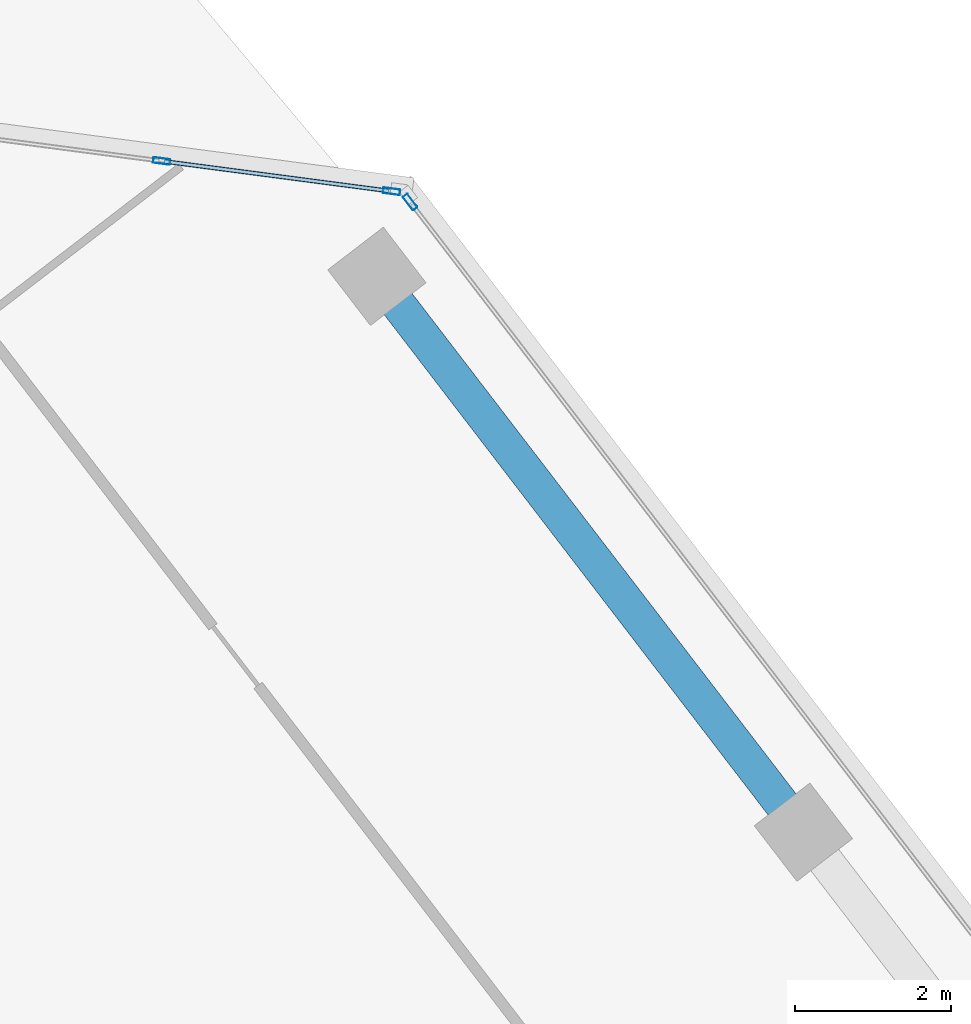
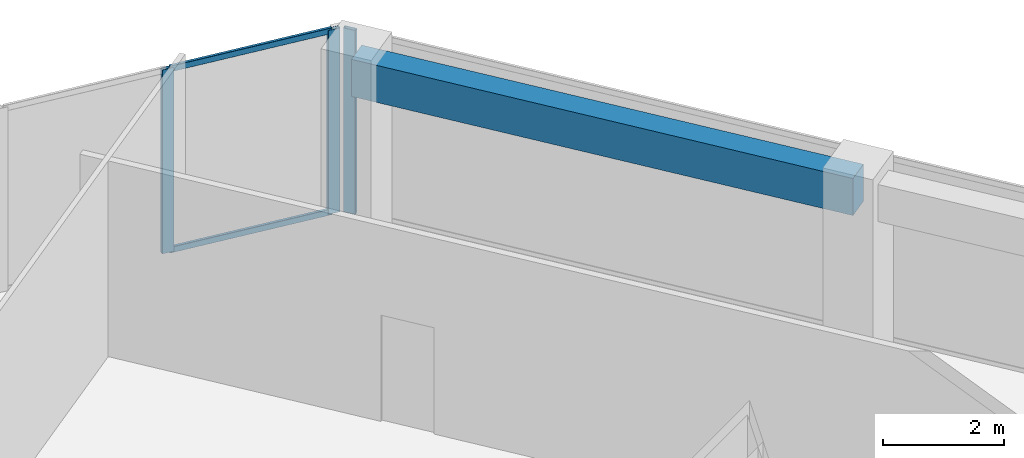
# One storey, part 10 of 17: 5 members, 1 beam, 2 elements without a shape of their own.
"""IFC4 building model written with IfcOpenShell, lengths in metres."""

from ifc_helpers import new_model, si_unit, direction, frame, origin, origin_2d, place, context, subcontext, project, spatial, rectangle, hollow_rectangle, extrude, source, transform, mapped, material, material_profile, profile_set, type_object, element, aggregate, save


model = new_model("IFC4")

# Units and contexts
model_context = context("Model", 3, precision=1e-05, world=origin(), true_north=direction((0.0, 1.0)))
body_context = subcontext(model_context, "Body", "Model", "MODEL_VIEW")
ifc_project = project(units=[si_unit("LENGTHUNIT", "METRE"), si_unit("AREAUNIT", "SQUARE_METRE"), si_unit("VOLUMEUNIT", "CUBIC_METRE"), si_unit("PLANEANGLEUNIT", "RADIAN"), si_unit("MASSUNIT", "GRAM", prefix="KILO")], contexts=[model_context])

# Site, building, storey
site_placement = place(None, origin())
site = spatial("IfcSite", under=ifc_project, at=site_placement, CompositionType="ELEMENT")
building_placement = place(site_placement, origin())
building = spatial("IfcBuilding", under=site, at=building_placement, Name="Torre Montelarca", CompositionType="ELEMENT")
storey_placement = place(building_placement, frame((0.0, 0.0, 279.39990234375)))
storey = spatial("IfcBuildingStorey", under=building, at=storey_placement, Name="L63", CompositionType="ELEMENT", Elevation=279.39990234375)

# Beam
ifc_material_1 = material(Name="Concrete C55/67", Category="concrete")
ifc_material_profile_1 = material_profile(ifc_material_1, rectangle(XDim=0.449951171875, YDim=0.75, at=origin_2d()), Name="RCB450X750", Category="concrete")
ifc_profile_set_1 = profile_set([ifc_material_profile_1], Name="Concrete C55/67")
beam_type = type_object("IfcBeamType", Name="BM-SP-RC750-EXT", PredefinedType="SPANDREL", material=ifc_profile_set_1)
shared_shape_1 = source(origin(), body_context, "Body", "SweptSolid", [
    extrude(rectangle(XDim=0.449951171875, YDim=0.75, at=origin_2d()), origin(), (0.0, 0.0, 1.0), 9.0),
])
beam_placement = place(storey_placement, frame((25.909912109375, 51.1396484375, 3.585205078125), z_axis=(0.608757244327, -0.793356551293, 0.0), x_axis=(0.793356551293, 0.608757244327, 0.0)))
element("IfcBeam", 1, at=beam_placement, inside=storey, type_object=beam_type, Name="L63 Grid Girder X 9.0-18.0 at Y=47.1", PredefinedType="SPANDREL", context=body_context, shape_type="MappedRepresentation", body=[
    mapped(shared_shape_1, transform((0.0, 0.0, 0.0), scale=1.0)),
])

# Curtain wall, member
ifc_material_2 = material(Name="Insulated low-E laminated glass", Category="glass")
curtain_wall_type = type_object("IfcCurtainWallType", Name="CW-SYS-Z3", PredefinedType="USERDEFINED", material=ifc_material_2)
curtain_wall_1_placement = place(storey_placement, origin())
curtain_wall_1 = element("IfcCurtainWall", 2, at=curtain_wall_1_placement, inside=storey, type_object=curtain_wall_type, Name="L63 Curtain Wall Run CW-T3-L63-E08-B1", ObjectType="UNITISED GLAZING", PredefinedType="USERDEFINED")
ifc_material_3 = material(Name="Anodised aluminium AA 6063-T6", Category="aluminium")
ifc_material_profile_2 = material_profile(ifc_material_3, hollow_rectangle(XDim=0.074951171875, YDim=0.219970703125, WallThickness=0.0048828125, InnerFilletRadius=0.0048828125, OuterFilletRadius=0.010009765625, at=origin_2d()), Name="ALU75X220X5", Category="aluminium")
ifc_profile_set_2 = profile_set([ifc_material_profile_2], Name="Anodised aluminium AA 6063-T6")
member_type_1 = type_object("IfcMemberType", Name="CWM-ALU220", PredefinedType="MULLION", material=ifc_profile_set_2)
shared_shape_2 = source(origin(), body_context, "Body", "SweptSolid", [
    extrude(hollow_rectangle(XDim=0.074951171875, YDim=0.219970703125, WallThickness=0.0048828125, InnerFilletRadius=0.0048828125, OuterFilletRadius=0.010009765625, at=origin_2d()), origin(), (0.0, 0.0, 1.0), 3.72021484375),
])
member_1_placement = place(storey_placement, frame((26.33740234375, 52.09375, 0.0), z_axis=(0.0, 0.0, 1.0), x_axis=(-0.793353678896, -0.60876098773, 0.0)))
member_1 = element("IfcMember", 3, at=member_1_placement, type_object=member_type_1, Name="CW mullion 3", PredefinedType="MULLION", context=body_context, shape_type="MappedRepresentation", body=[
    mapped(shared_shape_2, transform((0.0, 0.0, 0.0), scale=1.0)),
])
aggregate(curtain_wall_1, [member_1])

# Curtain wall, members
curtain_wall_2_placement = place(storey_placement, origin())
curtain_wall_2 = element("IfcCurtainWall", 4, at=curtain_wall_2_placement, inside=storey, type_object=curtain_wall_type, Name="L63 Curtain Wall Run CW-T3-L63-E09-B1", ObjectType="UNITISED GLAZING", PredefinedType="USERDEFINED")
member_2_placement = place(storey_placement, frame((26.09814453125, 52.23193359375, 0.0), z_axis=(0.0, 0.0, 1.0), x_axis=(-0.130514118862, -0.991446450787, 0.0)))
member_2 = element("IfcMember", 5, at=member_2_placement, type_object=member_type_1, Name="CW mullion 1", PredefinedType="MULLION", context=body_context, shape_type="MappedRepresentation", body=[
    mapped(shared_shape_2, transform((0.0, 0.0, 0.0), scale=1.0)),
])
member_3_placement = place(storey_placement, frame((23.14501953125, 52.62060546875, 0.0), z_axis=(0.0, 0.0, 1.0), x_axis=(-0.130514118862, -0.991446450787, 0.0)))
member_3 = element("IfcMember", 6, at=member_3_placement, type_object=member_type_1, Name="CW mullion 2", PredefinedType="MULLION", context=body_context, shape_type="MappedRepresentation", body=[
    mapped(shared_shape_2, transform((0.0, 0.0, 0.0), scale=1.0)),
])
ifc_material_profile_3 = material_profile(ifc_material_3, hollow_rectangle(XDim=0.054931640625, YDim=0.1201171875, WallThickness=0.00341796875, InnerFilletRadius=0.00341796875, OuterFilletRadius=0.007080078125, at=origin_2d()), Name="ALU55X120X3.5", Category="aluminium")
ifc_profile_set_3 = profile_set([ifc_material_profile_3], Name="Anodised aluminium AA 6063-T6")
member_type_2 = type_object("IfcMemberType", Name="CWT-ALU120", PredefinedType="USERDEFINED", material=ifc_profile_set_3)
shared_shape_3 = source(origin(), body_context, "Body", "SweptSolid", [
    extrude(hollow_rectangle(XDim=0.054931640625, YDim=0.1201171875, WallThickness=0.00341796875, InnerFilletRadius=0.00341796875, OuterFilletRadius=0.007080078125, at=origin_2d()), origin(), (0.0, 0.0, 1.0), 2.90380859375),
])
member_4_placement = place(storey_placement, frame((26.06103515625, 52.23681640625, 0.027587890625), z_axis=(-0.991449716135, 0.13048931135, 0.0), x_axis=(-0.13048931135, -0.991449716135, 0.0)))
member_4 = element("IfcMember", 7, at=member_4_placement, type_object=member_type_2, Name="CW transom 1.1", ObjectType="TRANSOM", PredefinedType="USERDEFINED", context=body_context, shape_type="MappedRepresentation", body=[
    mapped(shared_shape_3, transform((0.0, 0.0, 0.0), scale=1.0)),
])
member_5_placement = place(storey_placement, frame((26.06103515625, 52.23681640625, 3.692626953125), z_axis=(-0.991449716135, 0.13048931135, 0.0), x_axis=(-0.13048931135, -0.991449716135, 0.0)))
member_5 = element("IfcMember", 8, at=member_5_placement, type_object=member_type_2, Name="CW transom 1.2", ObjectType="TRANSOM", PredefinedType="USERDEFINED", context=body_context, shape_type="MappedRepresentation", body=[
    mapped(shared_shape_3, transform((0.0, 0.0, 0.0), scale=1.0)),
])
aggregate(curtain_wall_2, [member_2, member_3, member_4, member_5])

save(model, "model.ifc")
